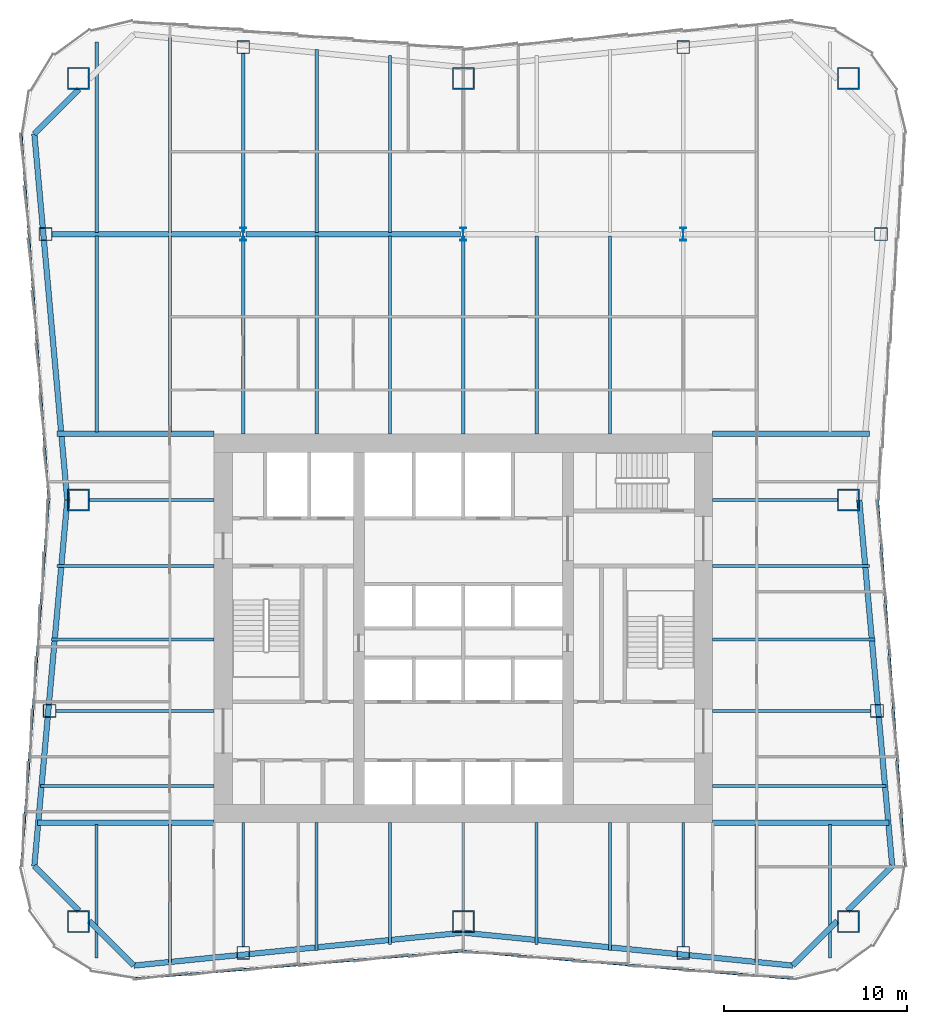
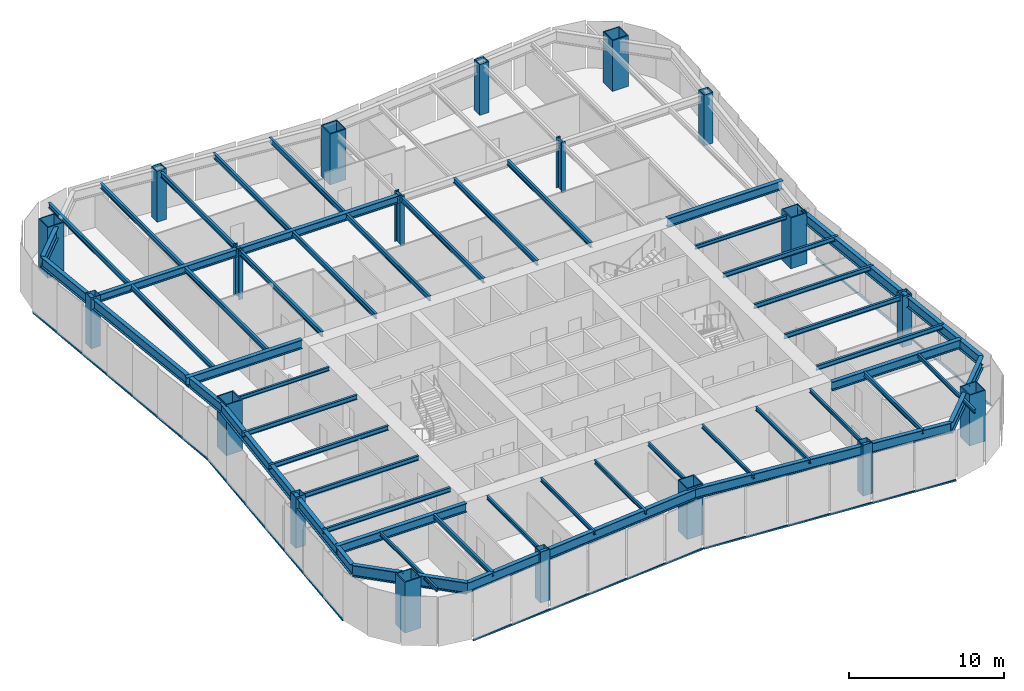
# One storey, part 1 of 8: 50 beams, 19 columns, 5 members, 3 elements without a shape of their own.
"""IFC4 building model written with IfcOpenShell, lengths in metres."""

from ifc_helpers import new_model, si_unit, direction, frame, origin, origin_2d, place, context, subcontext, project, spatial, rectangle, hollow_rectangle, i_section, extrude, material, material_profile, profile_set, type_object, element, aggregate, save


model = new_model("IFC4")

# Units and contexts
model_context = context("Model", 3, precision=1e-05, world=origin(), true_north=direction((0.0, 1.0)))
body_context = subcontext(model_context, "Body", "Model", "MODEL_VIEW")
ifc_project = project(units=[si_unit("LENGTHUNIT", "METRE"), si_unit("AREAUNIT", "SQUARE_METRE"), si_unit("VOLUMEUNIT", "CUBIC_METRE"), si_unit("PLANEANGLEUNIT", "RADIAN"), si_unit("MASSUNIT", "GRAM", prefix="KILO")], contexts=[model_context])

# Site, building, storey
site_placement = place(None, origin())
site = spatial("IfcSite", under=ifc_project, at=site_placement, CompositionType="ELEMENT")
building_placement = place(site_placement, origin())
building = spatial("IfcBuilding", under=site, at=building_placement, Name="Verdant Reach Tower", CompositionType="ELEMENT")
storey_placement = place(building_placement, frame((0.0, 0.0, 134.0)))
storey = spatial("IfcBuildingStorey", under=building, at=storey_placement, Name="L30", CompositionType="ELEMENT", Elevation=134.0)

# Columns
ifc_material_1 = material(Name="Steel S460", Category="steel")
ifc_material_profile_1 = material_profile(ifc_material_1, i_section(OverallWidth=0.30810546875, OverallDepth=0.716064453125, WebThickness=0.02099609375, FlangeThickness=0.0400390625, FilletRadius=0.027099609375, at=origin_2d()), Name="HEM 700")
ifc_profile_set_1 = profile_set([ifc_material_profile_1], Name="Steel S460")
column_type_1 = type_object("IfcColumnType", Name="ST-COL-HEM700", PredefinedType="COLUMN", material=ifc_profile_set_1)
for number, where, z_axis, x_axis, name in (
    (1, (-12.0, 49.5, 0.0), (0.0, 0.0, 1.0), (1.0, 0.0, 0.0), "Interior column 1, L30"),
    (2, (0.0, 49.5, 0.0), (0.0, 0.0, 1.0), (1.0, 0.0, 0.0), "Interior column 2, L30"),
    (3, (12.0, 49.5, 0.0), (0.0, 0.0, 1.0), (1.0, 0.0, 0.0), "Interior column 3, L30"),
):
    element("IfcColumn", number, at=place(storey_placement, frame(where, z_axis=z_axis, x_axis=x_axis)), inside=storey, type_object=column_type_1, Name=name, PredefinedType="COLUMN", context=body_context, shape_type="SweptSolid", body=[
        extrude(i_section(OverallWidth=0.30810546875, OverallDepth=0.716064453125, WebThickness=0.02099609375, FlangeThickness=0.0400390625, FilletRadius=0.027099609375, at=origin_2d()), origin(), (0.0, 0.0, 1.0), 4.0),
    ])
ifc_material_profile_2 = material_profile(ifc_material_1, hollow_rectangle(XDim=1.199951171875, YDim=1.199951171875, WallThickness=0.070068359375, at=origin_2d()), Name="WB 1200x1200x70")
ifc_profile_set_2 = profile_set([ifc_material_profile_2], Name="Steel S460")
column_type_2 = type_object("IfcColumnType", Name="ST-COL-WB1200x1200x70", PredefinedType="COLUMN", material=ifc_profile_set_2)
for number, where, z_axis, x_axis, name in (
    (4, (-21.0, 58.0, 0.0), (0.0, 0.0, 1.0), (1.0, 0.0, 0.0), "Mega column north-west, L30"),
    (5, (0.0, 58.0, 0.0), (0.0, 0.0, 1.0), (1.0, 0.0, 0.0), "Mega column north, L30"),
    (6, (21.0, 58.0, 0.0), (0.0, 0.0, 1.0), (1.0, 0.0, 0.0), "Mega column north-east, L30"),
    (7, (21.0, 35.0, 0.0), (0.0, 0.0, 1.0), (1.0, 0.0, 0.0), "Mega column east, L30"),
    (8, (21.0, 12.0, 0.0), (0.0, 0.0, 1.0), (1.0, 0.0, 0.0), "Mega column south-east, L30"),
    (9, (0.0, 12.0, 0.0), (0.0, 0.0, 1.0), (1.0, 0.0, 0.0), "Mega column south, L30"),
    (10, (-21.0, 12.0, 0.0), (0.0, 0.0, 1.0), (1.0, 0.0, 0.0), "Mega column south-west, L30"),
    (11, (-21.0, 35.0, 0.0), (0.0, 0.0, 1.0), (1.0, 0.0, 0.0), "Mega column west, L30"),
):
    element("IfcColumn", number, at=place(storey_placement, frame(where, z_axis=z_axis, x_axis=x_axis)), inside=storey, type_object=column_type_2, Name=name, PredefinedType="COLUMN", context=body_context, shape_type="SweptSolid", body=[
        extrude(hollow_rectangle(XDim=1.199951171875, YDim=1.199951171875, WallThickness=0.070068359375, at=origin_2d()), origin(), (0.0, 0.0, 1.0), 4.0),
    ])
ifc_material_profile_3 = material_profile(ifc_material_1, hollow_rectangle(XDim=0.699951171875, YDim=0.699951171875, WallThickness=0.030029296875, at=origin_2d()), Name="WB 700x700x30")
ifc_profile_set_3 = profile_set([ifc_material_profile_3], Name="Steel S460")
column_type_3 = type_object("IfcColumnType", Name="ST-COL-WB700x700x30", PredefinedType="COLUMN", material=ifc_profile_set_3)
for number, where, z_axis, x_axis, name in (
    (12, (-12.0, 59.699951171875, 0.0), (0.0, 0.0, 1.0), (1.0, 0.0, 0.0), "Perimeter column north 1, L30"),
    (13, (12.0, 59.699951171875, 0.0), (0.0, 0.0, 1.0), (1.0, 0.0, 0.0), "Perimeter column north 2, L30"),
    (14, (-12.0, 10.300048828125, 0.0), (0.0, 0.0, 1.0), (1.0, 0.0, 0.0), "Perimeter column south 1, L30"),
    (15, (12.0, 10.300048828125, 0.0), (0.0, 0.0, 1.0), (1.0, 0.0, 0.0), "Perimeter column south 2, L30"),
    (16, (22.5625, 23.5, 0.0), (0.0, 0.0, 1.0), (1.0, 0.0, 0.0), "Perimeter column east 1, L30"),
    (17, (22.78759765625, 49.5, 0.0), (0.0, 0.0, 1.0), (1.0, 0.0, 0.0), "Perimeter column east 2, L30"),
    (18, (-22.5625, 23.5, 0.0), (0.0, 0.0, 1.0), (1.0, 0.0, 0.0), "Perimeter column west 1, L30"),
    (19, (-22.78759765625, 49.5, 0.0), (0.0, 0.0, 1.0), (1.0, 0.0, 0.0), "Perimeter column west 2, L30"),
):
    element("IfcColumn", number, at=place(storey_placement, frame(where, z_axis=z_axis, x_axis=x_axis)), inside=storey, type_object=column_type_3, Name=name, PredefinedType="COLUMN", context=body_context, shape_type="SweptSolid", body=[
        extrude(hollow_rectangle(XDim=0.699951171875, YDim=0.699951171875, WallThickness=0.030029296875, at=origin_2d()), origin(), (0.0, 0.0, 1.0), 4.0),
    ])

# Curtain wall, member
ifc_material_2 = material(Name="Anodised aluminium", Category="aluminium")
curtain_wall_type = type_object("IfcCurtainWallType", Name="EN-CW SYSTEM Z2", PredefinedType="NOTDEFINED", material=ifc_material_2)
curtain_wall_1_placement = place(storey_placement, origin())
curtain_wall_1 = element("IfcCurtainWall", 20, at=curtain_wall_1_placement, inside=storey, type_object=curtain_wall_type, Name="Curtain wall east, L30", PredefinedType="NOTDEFINED")
ifc_material_profile_4 = material_profile(ifc_material_2, rectangle(XDim=0.10009765625, YDim=0.1240234375, at=origin_2d()), Name="Transom 124x100")
ifc_profile_set_4 = profile_set([ifc_material_profile_4], Name="Anodised aluminium")
member_type = type_object("IfcMemberType", Name="EN-TRANSOM Z2", PredefinedType="USERDEFINED", material=ifc_profile_set_4)
member_1_placement = place(storey_placement, frame((24.103515625, 15.025390625, -0.2880859375), z_axis=(-0.07476111665, 0.997201471839, 0.0), x_axis=(-0.997201471839, -0.07476111665, 0.0)))
member_1 = element("IfcMember", 21, at=member_1_placement, type_object=member_type, Name="Transom east face part 1 1.1, L30", ObjectType="TRANSOM", PredefinedType="USERDEFINED", context=body_context, shape_type="SweptSolid", body=[
    extrude(rectangle(XDim=0.10009765625, YDim=0.1240234375, at=origin_2d()), origin(), (0.0, 0.0, 1.0), 19.99853515625),
])
aggregate(curtain_wall_1, [member_1])

# Curtain wall, members
curtain_wall_2_placement = place(storey_placement, origin())
curtain_wall_2 = element("IfcCurtainWall", 22, at=curtain_wall_2_placement, inside=storey, type_object=curtain_wall_type, Name="Curtain wall west, L30", PredefinedType="NOTDEFINED")
member_2_placement = place(storey_placement, frame((-24.103515625, 54.974609375, -0.2880859375), z_axis=(0.07476111665, -0.997201471839, 0.0), x_axis=(0.997201471839, 0.07476111665, 0.0)))
member_2 = element("IfcMember", 23, at=member_2_placement, type_object=member_type, Name="Transom west face part 1 1.1, L30", ObjectType="TRANSOM", PredefinedType="USERDEFINED", context=body_context, shape_type="SweptSolid", body=[
    extrude(rectangle(XDim=0.10009765625, YDim=0.1240234375, at=origin_2d()), origin(), (0.0, 0.0, 1.0), 19.99853515625),
])
member_3_placement = place(storey_placement, frame((-22.6083984375, 34.968017578125, -0.2880859375), z_axis=(-0.07476111665, -0.997201471839, 0.0), x_axis=(0.997201471839, -0.07476111665, 0.0)))
member_3 = element("IfcMember", 24, at=member_3_placement, type_object=member_type, Name="Transom west face part 2 1.1, L30", ObjectType="TRANSOM", PredefinedType="USERDEFINED", context=body_context, shape_type="SweptSolid", body=[
    extrude(rectangle(XDim=0.10009765625, YDim=0.1240234375, at=origin_2d()), origin(), (0.0, 0.0, 1.0), 19.99853515625),
])
aggregate(curtain_wall_2, [member_2, member_3])

curtain_wall_3_placement = place(storey_placement, origin())
curtain_wall_3 = element("IfcCurtainWall", 25, at=curtain_wall_3_placement, inside=storey, type_object=curtain_wall_type, Name="Curtain wall south, L30", PredefinedType="NOTDEFINED")
member_4_placement = place(storey_placement, frame((-17.97412109375, 8.896728515625, -0.2880859375), z_axis=(0.996548282776, 0.083015179915, 0.0), x_axis=(-0.083015179915, 0.996548282776, 0.0)))
member_4 = element("IfcMember", 26, at=member_4_placement, type_object=member_type, Name="Transom south face part 1 1.1, L30", ObjectType="TRANSOM", PredefinedType="USERDEFINED", context=body_context, shape_type="SweptSolid", body=[
    extrude(rectangle(XDim=0.10009765625, YDim=0.1240234375, at=origin_2d()), origin(), (0.0, 0.0, 1.0), 18.00439453125),
])
member_5_placement = place(storey_placement, frame((0.031982421875, 10.391357421875, -0.2880859375), z_axis=(0.996548282776, -0.083015179915, 0.0), x_axis=(0.083015179915, 0.996548282776, 0.0)))
member_5 = element("IfcMember", 27, at=member_5_placement, type_object=member_type, Name="Transom south face part 2 1.1, L30", ObjectType="TRANSOM", PredefinedType="USERDEFINED", context=body_context, shape_type="SweptSolid", body=[
    extrude(rectangle(XDim=0.10009765625, YDim=0.1240234375, at=origin_2d()), origin(), (0.0, 0.0, 1.0), 18.00439453125),
])
aggregate(curtain_wall_3, [member_4, member_5])

# Beams
ifc_material_3 = material(Name="Steel S355", Category="steel")
ifc_material_profile_5 = material_profile(ifc_material_3, i_section(OverallWidth=0.300048828125, OverallDepth=0.60009765625, WebThickness=0.015380859375, FlangeThickness=0.030029296875, FilletRadius=0.027099609375, at=origin_2d()), Name="HEB 600")
ifc_profile_set_5 = profile_set([ifc_material_profile_5], Name="Steel S355")
beam_type_1 = type_object("IfcBeamType", Name="ST-BEAM-HEB600", PredefinedType="BEAM", material=ifc_profile_set_5)
beam_1_placement = place(storey_placement, frame((-22.4375, 49.5, 3.570068359375), z_axis=(1.0, 0.0, 0.0), x_axis=(0.0, 1.0, 0.0)))
element("IfcBeam", 28, at=beam_1_placement, inside=storey, type_object=beam_type_1, Name="Row girder, L30", PredefinedType="BEAM", context=body_context, shape_type="SweptSolid", body=[
    extrude(i_section(OverallWidth=0.300048828125, OverallDepth=0.60009765625, WebThickness=0.015380859375, FlangeThickness=0.030029296875, FilletRadius=0.027099609375, at=origin_2d()), origin(), (0.0, 0.0, 1.0), 10.283447265625),
])
beam_2_placement = place(storey_placement, frame((-11.845947265625, 49.5, 3.570068359375), z_axis=(1.0, 0.0, 0.0), x_axis=(0.0, 1.0, 0.0)))
element("IfcBeam", 29, at=beam_2_placement, inside=storey, type_object=beam_type_1, Name="Row girder, L30", PredefinedType="BEAM", context=body_context, shape_type="SweptSolid", body=[
    extrude(i_section(OverallWidth=0.300048828125, OverallDepth=0.60009765625, WebThickness=0.015380859375, FlangeThickness=0.030029296875, FilletRadius=0.027099609375, at=origin_2d()), origin(), (0.0, 0.0, 1.0), 11.69189453125),
])
ifc_material_profile_6 = material_profile(ifc_material_3, i_section(OverallWidth=0.300048828125, OverallDepth=0.699951171875, WebThickness=0.01708984375, FlangeThickness=0.031982421875, FilletRadius=0.027099609375, at=origin_2d()), Name="HEB 700")
ifc_profile_set_6 = profile_set([ifc_material_profile_6], Name="Steel S355")
beam_type_2 = type_object("IfcBeamType", Name="ST-BEAM-HEB700", PredefinedType="BEAM", material=ifc_profile_set_6)
for number, where, z_axis, x_axis, name in (
    (30, (13.60009765625, 38.60009765625, 3.52001953125), (1.0, 0.0, 0.0), (0.0, 1.0, 0.0), "Trimmer beam, L30"),
    (31, (-13.60009765625, 38.60009765625, 3.52001953125), (-1.0, 0.0, 0.0), (0.0, -1.0, 0.0), "Trimmer beam, L30"),
):
    element("IfcBeam", number, at=place(storey_placement, frame(where, z_axis=z_axis, x_axis=x_axis)), inside=storey, type_object=beam_type_2, Name=name, PredefinedType="BEAM", context=body_context, shape_type="SweptSolid", body=[
        extrude(i_section(OverallWidth=0.300048828125, OverallDepth=0.699951171875, WebThickness=0.01708984375, FlangeThickness=0.031982421875, FilletRadius=0.027099609375, at=origin_2d()), origin(), (0.0, 0.0, 1.0), 8.568115234375),
    ])
for number, where, z_axis, x_axis, name in (
    (32, (13.60009765625, 17.39990234375, 3.52001953125), (1.0, 0.0, 0.0), (0.0, 1.0, 0.0), "Trimmer beam, L30"),
    (33, (-13.60009765625, 17.39990234375, 3.52001953125), (-1.0, 0.0, 0.0), (0.0, -1.0, 0.0), "Trimmer beam, L30"),
):
    element("IfcBeam", number, at=place(storey_placement, frame(where, z_axis=z_axis, x_axis=x_axis)), inside=storey, type_object=beam_type_2, Name=name, PredefinedType="BEAM", context=body_context, shape_type="SweptSolid", body=[
        extrude(i_section(OverallWidth=0.300048828125, OverallDepth=0.699951171875, WebThickness=0.01708984375, FlangeThickness=0.031982421875, FilletRadius=0.027099609375, at=origin_2d()), origin(), (0.0, 0.0, 1.0), 9.6181640625),
    ])
ifc_material_profile_7 = material_profile(ifc_material_3, i_section(OverallWidth=0.14990234375, OverallDepth=0.300048828125, WebThickness=0.007080078125, FlangeThickness=0.0107421875, FilletRadius=0.014892578125, at=origin_2d()), Name="IPE 300")
ifc_profile_set_7 = profile_set([ifc_material_profile_7], Name="Steel S355")
beam_type_3 = type_object("IfcBeamType", Name="ST-JOIST-IPE300", PredefinedType="JOIST", material=ifc_profile_set_7)
beam_3_placement = place(storey_placement, frame((-20.0, 17.300048828125, 3.719970703125), z_axis=(0.0, -1.0, 0.0), x_axis=(1.0, 0.0, 0.0)))
element("IfcBeam", 34, at=beam_3_placement, inside=storey, type_object=beam_type_3, Name="Floor joist, L30", PredefinedType="JOIST", context=body_context, shape_type="SweptSolid", body=[
    extrude(i_section(OverallWidth=0.14990234375, OverallDepth=0.300048828125, WebThickness=0.007080078125, FlangeThickness=0.0107421875, FilletRadius=0.014892578125, at=origin_2d()), origin(), (0.0, 0.0, 1.0), 7.29052734375),
])
beam_4_placement = place(storey_placement, frame((-12.0, 17.39990234375, 3.719970703125), z_axis=(0.0, -1.0, 0.0), x_axis=(1.0, 0.0, 0.0)))
element("IfcBeam", 35, at=beam_4_placement, inside=storey, type_object=beam_type_3, Name="Floor joist, L30", PredefinedType="JOIST", context=body_context, shape_type="SweptSolid", body=[
    extrude(i_section(OverallWidth=0.14990234375, OverallDepth=0.300048828125, WebThickness=0.007080078125, FlangeThickness=0.0107421875, FilletRadius=0.014892578125, at=origin_2d()), origin(), (0.0, 0.0, 1.0), 6.75),
])
beam_5_placement = place(storey_placement, frame((-8.0, 17.39990234375, 3.719970703125), z_axis=(0.0, -1.0, 0.0), x_axis=(1.0, 0.0, 0.0)))
element("IfcBeam", 36, at=beam_5_placement, inside=storey, type_object=beam_type_3, Name="Floor joist, L30", PredefinedType="JOIST", context=body_context, shape_type="SweptSolid", body=[
    extrude(i_section(OverallWidth=0.14990234375, OverallDepth=0.300048828125, WebThickness=0.007080078125, FlangeThickness=0.0107421875, FilletRadius=0.014892578125, at=origin_2d()), origin(), (0.0, 0.0, 1.0), 6.964599609375),
])
beam_6_placement = place(storey_placement, frame((-4.0, 17.39990234375, 3.719970703125), z_axis=(0.0, -1.0, 0.0), x_axis=(1.0, 0.0, 0.0)))
element("IfcBeam", 37, at=beam_6_placement, inside=storey, type_object=beam_type_3, Name="Floor joist, L30", PredefinedType="JOIST", context=body_context, shape_type="SweptSolid", body=[
    extrude(i_section(OverallWidth=0.14990234375, OverallDepth=0.300048828125, WebThickness=0.007080078125, FlangeThickness=0.0107421875, FilletRadius=0.014892578125, at=origin_2d()), origin(), (0.0, 0.0, 1.0), 6.631103515625),
])
beam_7_placement = place(storey_placement, frame((0.0, 17.39990234375, 3.719970703125), z_axis=(0.0, -1.0, 0.0), x_axis=(1.0, 0.0, 0.0)))
element("IfcBeam", 38, at=beam_7_placement, inside=storey, type_object=beam_type_3, Name="Floor joist, L30", PredefinedType="JOIST", context=body_context, shape_type="SweptSolid", body=[
    extrude(i_section(OverallWidth=0.14990234375, OverallDepth=0.300048828125, WebThickness=0.007080078125, FlangeThickness=0.0107421875, FilletRadius=0.014892578125, at=origin_2d()), origin(), (0.0, 0.0, 1.0), 4.7998046875),
])
beam_8_placement = place(storey_placement, frame((4.0, 17.39990234375, 3.719970703125), z_axis=(0.0, -1.0, 0.0), x_axis=(1.0, 0.0, 0.0)))
element("IfcBeam", 39, at=beam_8_placement, inside=storey, type_object=beam_type_3, Name="Floor joist, L30", PredefinedType="JOIST", context=body_context, shape_type="SweptSolid", body=[
    extrude(i_section(OverallWidth=0.14990234375, OverallDepth=0.300048828125, WebThickness=0.007080078125, FlangeThickness=0.0107421875, FilletRadius=0.014892578125, at=origin_2d()), origin(), (0.0, 0.0, 1.0), 6.631103515625),
])
beam_9_placement = place(storey_placement, frame((8.0, 17.39990234375, 3.719970703125), z_axis=(0.0, -1.0, 0.0), x_axis=(1.0, 0.0, 0.0)))
element("IfcBeam", 40, at=beam_9_placement, inside=storey, type_object=beam_type_3, Name="Floor joist, L30", PredefinedType="JOIST", context=body_context, shape_type="SweptSolid", body=[
    extrude(i_section(OverallWidth=0.14990234375, OverallDepth=0.300048828125, WebThickness=0.007080078125, FlangeThickness=0.0107421875, FilletRadius=0.014892578125, at=origin_2d()), origin(), (0.0, 0.0, 1.0), 6.964599609375),
])
beam_10_placement = place(storey_placement, frame((12.0, 17.39990234375, 3.719970703125), z_axis=(0.0, -1.0, 0.0), x_axis=(1.0, 0.0, 0.0)))
element("IfcBeam", 41, at=beam_10_placement, inside=storey, type_object=beam_type_3, Name="Floor joist, L30", PredefinedType="JOIST", context=body_context, shape_type="SweptSolid", body=[
    extrude(i_section(OverallWidth=0.14990234375, OverallDepth=0.300048828125, WebThickness=0.007080078125, FlangeThickness=0.0107421875, FilletRadius=0.014892578125, at=origin_2d()), origin(), (0.0, 0.0, 1.0), 6.75),
])
beam_11_placement = place(storey_placement, frame((20.0, 17.300048828125, 3.719970703125), z_axis=(0.0, -1.0, 0.0), x_axis=(1.0, 0.0, 0.0)))
element("IfcBeam", 42, at=beam_11_placement, inside=storey, type_object=beam_type_3, Name="Floor joist, L30", PredefinedType="JOIST", context=body_context, shape_type="SweptSolid", body=[
    extrude(i_section(OverallWidth=0.14990234375, OverallDepth=0.300048828125, WebThickness=0.007080078125, FlangeThickness=0.0107421875, FilletRadius=0.014892578125, at=origin_2d()), origin(), (0.0, 0.0, 1.0), 7.29052734375),
])
for number, where, z_axis, x_axis, name in (
    (43, (13.60009765625, 35.0, 3.719970703125), (1.0, 0.0, 0.0), (0.0, 1.0, 0.0), "Floor joist, L30"),
    (44, (-13.60009765625, 35.0, 3.719970703125), (-1.0, 0.0, 0.0), (0.0, -1.0, 0.0), "Floor joist, L30"),
):
    element("IfcBeam", number, at=place(storey_placement, frame(where, z_axis=z_axis, x_axis=x_axis)), inside=storey, type_object=beam_type_3, Name=name, PredefinedType="JOIST", context=body_context, shape_type="SweptSolid", body=[
        extrude(i_section(OverallWidth=0.14990234375, OverallDepth=0.300048828125, WebThickness=0.007080078125, FlangeThickness=0.0107421875, FilletRadius=0.014892578125, at=origin_2d()), origin(), (0.0, 0.0, 1.0), 6.7998046875),
    ])
ifc_material_profile_8 = material_profile(ifc_material_3, i_section(OverallWidth=0.169921875, OverallDepth=0.360107421875, WebThickness=0.008056640625, FlangeThickness=0.0126953125, FilletRadius=0.01806640625, at=origin_2d()), Name="IPE 360")
ifc_profile_set_8 = profile_set([ifc_material_profile_8], Name="Steel S355")
beam_type_4 = type_object("IfcBeamType", Name="ST-JOIST-IPE360", PredefinedType="JOIST", material=ifc_profile_set_8)
for number, where, z_axis, x_axis, name in (
    (45, (-16.0, 17.300048828125, 3.68994140625), (0.0, -1.0, 0.0), (1.0, 0.0, 0.0), "Floor joist, L30"),
    (46, (16.0, 17.300048828125, 3.68994140625), (0.0, -1.0, 0.0), (1.0, 0.0, 0.0), "Floor joist, L30"),
):
    element("IfcBeam", number, at=place(storey_placement, frame(where, z_axis=z_axis, x_axis=x_axis)), inside=storey, type_object=beam_type_4, Name=name, PredefinedType="JOIST", context=body_context, shape_type="SweptSolid", body=[
        extrude(i_section(OverallWidth=0.169921875, OverallDepth=0.360107421875, WebThickness=0.008056640625, FlangeThickness=0.0126953125, FilletRadius=0.01806640625, at=origin_2d()), origin(), (0.0, 0.0, 1.0), 7.53125),
    ])
for number, where, z_axis, x_axis, name in (
    (47, (13.60009765625, 19.39990234375, 3.68994140625), (1.0, 0.0, 0.0), (0.0, 1.0, 0.0), "Floor joist, L30"),
    (48, (-13.60009765625, 19.39990234375, 3.68994140625), (-1.0, 0.0, 0.0), (0.0, -1.0, 0.0), "Floor joist, L30"),
):
    element("IfcBeam", number, at=place(storey_placement, frame(where, z_axis=z_axis, x_axis=x_axis)), inside=storey, type_object=beam_type_4, Name=name, PredefinedType="JOIST", context=body_context, shape_type="SweptSolid", body=[
        extrude(i_section(OverallWidth=0.169921875, OverallDepth=0.360107421875, WebThickness=0.008056640625, FlangeThickness=0.0126953125, FilletRadius=0.01806640625, at=origin_2d()), origin(), (0.0, 0.0, 1.0), 9.46826171875),
    ])
for number, where, z_axis, x_axis, name in (
    (49, (13.60009765625, 23.5, 3.68994140625), (1.0, 0.0, 0.0), (0.0, 1.0, 0.0), "Floor joist, L30"),
    (50, (-13.60009765625, 23.5, 3.68994140625), (-1.0, 0.0, 0.0), (0.0, -1.0, 0.0), "Floor joist, L30"),
):
    element("IfcBeam", number, at=place(storey_placement, frame(where, z_axis=z_axis, x_axis=x_axis)), inside=storey, type_object=beam_type_4, Name=name, PredefinedType="JOIST", context=body_context, shape_type="SweptSolid", body=[
        extrude(i_section(OverallWidth=0.169921875, OverallDepth=0.360107421875, WebThickness=0.008056640625, FlangeThickness=0.0126953125, FilletRadius=0.01806640625, at=origin_2d()), origin(), (0.0, 0.0, 1.0), 8.6123046875),
    ])
for number, where, z_axis, x_axis, name in (
    (51, (13.60009765625, 27.39990234375, 3.68994140625), (1.0, 0.0, 0.0), (0.0, 1.0, 0.0), "Floor joist, L30"),
    (52, (-13.60009765625, 27.39990234375, 3.68994140625), (-1.0, 0.0, 0.0), (0.0, -1.0, 0.0), "Floor joist, L30"),
):
    element("IfcBeam", number, at=place(storey_placement, frame(where, z_axis=z_axis, x_axis=x_axis)), inside=storey, type_object=beam_type_4, Name=name, PredefinedType="JOIST", context=body_context, shape_type="SweptSolid", body=[
        extrude(i_section(OverallWidth=0.169921875, OverallDepth=0.360107421875, WebThickness=0.008056640625, FlangeThickness=0.0126953125, FilletRadius=0.01806640625, at=origin_2d()), origin(), (0.0, 0.0, 1.0), 8.8681640625),
    ])
for number, where, z_axis, x_axis, name in (
    (53, (13.60009765625, 31.39990234375, 3.68994140625), (1.0, 0.0, 0.0), (0.0, 1.0, 0.0), "Floor joist, L30"),
    (54, (-13.60009765625, 31.39990234375, 3.68994140625), (-1.0, 0.0, 0.0), (0.0, -1.0, 0.0), "Floor joist, L30"),
):
    element("IfcBeam", number, at=place(storey_placement, frame(where, z_axis=z_axis, x_axis=x_axis)), inside=storey, type_object=beam_type_4, Name=name, PredefinedType="JOIST", context=body_context, shape_type="SweptSolid", body=[
        extrude(i_section(OverallWidth=0.169921875, OverallDepth=0.360107421875, WebThickness=0.008056640625, FlangeThickness=0.0126953125, FilletRadius=0.01806640625, at=origin_2d()), origin(), (0.0, 0.0, 1.0), 8.568115234375),
    ])
ifc_material_profile_9 = material_profile(ifc_material_3, i_section(OverallWidth=0.179931640625, OverallDepth=0.39990234375, WebThickness=0.008544921875, FlangeThickness=0.013427734375, FilletRadius=0.02099609375, at=origin_2d()), Name="IPE 400")
ifc_profile_set_9 = profile_set([ifc_material_profile_9], Name="Steel S355")
beam_type_5 = type_object("IfcBeamType", Name="ST-JOIST-IPE400", PredefinedType="JOIST", material=ifc_profile_set_9)
beam_12_placement = place(storey_placement, frame((-20.0, 38.699951171875, 3.669921875), z_axis=(0.0, 1.0, 0.0), x_axis=(-1.0, 0.0, 0.0)))
element("IfcBeam", 55, at=beam_12_placement, inside=storey, type_object=beam_type_5, Name="Floor joist, L30", PredefinedType="JOIST", context=body_context, shape_type="SweptSolid", body=[
    extrude(i_section(OverallWidth=0.179931640625, OverallDepth=0.39990234375, WebThickness=0.008544921875, FlangeThickness=0.013427734375, FilletRadius=0.02099609375, at=origin_2d()), origin(), (0.0, 0.0, 1.0), 10.699951171875),
])
beam_13_placement = place(storey_placement, frame((-20.0, 49.60009765625, 3.669921875), z_axis=(0.0, 1.0, 0.0), x_axis=(-1.0, 0.0, 0.0)))
element("IfcBeam", 56, at=beam_13_placement, inside=storey, type_object=beam_type_5, Name="Floor joist, L30", PredefinedType="JOIST", context=body_context, shape_type="SweptSolid", body=[
    extrude(i_section(OverallWidth=0.179931640625, OverallDepth=0.39990234375, WebThickness=0.008544921875, FlangeThickness=0.013427734375, FilletRadius=0.02099609375, at=origin_2d()), origin(), (0.0, 0.0, 1.0), 10.390380859375),
])
beam_14_placement = place(storey_placement, frame((-16.0, 38.699951171875, 3.669921875), z_axis=(0.0, 1.0, 0.0), x_axis=(-1.0, 0.0, 0.0)))
element("IfcBeam", 57, at=beam_14_placement, inside=storey, type_object=beam_type_5, Name="Floor joist, L30", PredefinedType="JOIST", context=body_context, shape_type="SweptSolid", body=[
    extrude(i_section(OverallWidth=0.179931640625, OverallDepth=0.39990234375, WebThickness=0.008544921875, FlangeThickness=0.013427734375, FilletRadius=0.02099609375, at=origin_2d()), origin(), (0.0, 0.0, 1.0), 10.699951171875),
])
beam_15_placement = place(storey_placement, frame((-16.0, 49.60009765625, 3.669921875), z_axis=(0.0, 1.0, 0.0), x_axis=(-1.0, 0.0, 0.0)))
element("IfcBeam", 58, at=beam_15_placement, inside=storey, type_object=beam_type_5, Name="Floor joist, L30", PredefinedType="JOIST", context=body_context, shape_type="SweptSolid", body=[
    extrude(i_section(OverallWidth=0.179931640625, OverallDepth=0.39990234375, WebThickness=0.008544921875, FlangeThickness=0.013427734375, FilletRadius=0.02099609375, at=origin_2d()), origin(), (0.0, 0.0, 1.0), 10.631103515625),
])
beam_16_placement = place(storey_placement, frame((-12.0, 38.60009765625, 3.669921875), z_axis=(0.0, 1.0, 0.0), x_axis=(-1.0, 0.0, 0.0)))
element("IfcBeam", 59, at=beam_16_placement, inside=storey, type_object=beam_type_5, Name="Floor joist, L30", PredefinedType="JOIST", context=body_context, shape_type="SweptSolid", body=[
    extrude(i_section(OverallWidth=0.179931640625, OverallDepth=0.39990234375, WebThickness=0.008544921875, FlangeThickness=0.013427734375, FilletRadius=0.02099609375, at=origin_2d()), origin(), (0.0, 0.0, 1.0), 10.7998046875),
])
beam_17_placement = place(storey_placement, frame((-12.0, 49.60009765625, 3.669921875), z_axis=(0.0, 1.0, 0.0), x_axis=(-1.0, 0.0, 0.0)))
element("IfcBeam", 60, at=beam_17_placement, inside=storey, type_object=beam_type_5, Name="Floor joist, L30", PredefinedType="JOIST", context=body_context, shape_type="SweptSolid", body=[
    extrude(i_section(OverallWidth=0.179931640625, OverallDepth=0.39990234375, WebThickness=0.008544921875, FlangeThickness=0.013427734375, FilletRadius=0.02099609375, at=origin_2d()), origin(), (0.0, 0.0, 1.0), 9.75),
])
beam_18_placement = place(storey_placement, frame((-8.0, 38.60009765625, 3.669921875), z_axis=(0.0, 1.0, 0.0), x_axis=(-1.0, 0.0, 0.0)))
element("IfcBeam", 61, at=beam_18_placement, inside=storey, type_object=beam_type_5, Name="Floor joist, L30", PredefinedType="JOIST", context=body_context, shape_type="SweptSolid", body=[
    extrude(i_section(OverallWidth=0.179931640625, OverallDepth=0.39990234375, WebThickness=0.008544921875, FlangeThickness=0.013427734375, FilletRadius=0.02099609375, at=origin_2d()), origin(), (0.0, 0.0, 1.0), 10.7998046875),
])
beam_19_placement = place(storey_placement, frame((-8.0, 49.60009765625, 3.669921875), z_axis=(0.0, 1.0, 0.0), x_axis=(-1.0, 0.0, 0.0)))
element("IfcBeam", 62, at=beam_19_placement, inside=storey, type_object=beam_type_5, Name="Floor joist, L30", PredefinedType="JOIST", context=body_context, shape_type="SweptSolid", body=[
    extrude(i_section(OverallWidth=0.179931640625, OverallDepth=0.39990234375, WebThickness=0.008544921875, FlangeThickness=0.013427734375, FilletRadius=0.02099609375, at=origin_2d()), origin(), (0.0, 0.0, 1.0), 9.964599609375),
])
beam_20_placement = place(storey_placement, frame((-4.0, 38.60009765625, 3.669921875), z_axis=(0.0, 1.0, 0.0), x_axis=(-1.0, 0.0, 0.0)))
element("IfcBeam", 63, at=beam_20_placement, inside=storey, type_object=beam_type_5, Name="Floor joist, L30", PredefinedType="JOIST", context=body_context, shape_type="SweptSolid", body=[
    extrude(i_section(OverallWidth=0.179931640625, OverallDepth=0.39990234375, WebThickness=0.008544921875, FlangeThickness=0.013427734375, FilletRadius=0.02099609375, at=origin_2d()), origin(), (0.0, 0.0, 1.0), 10.7998046875),
])
beam_21_placement = place(storey_placement, frame((-4.0, 49.60009765625, 3.669921875), z_axis=(0.0, 1.0, 0.0), x_axis=(-1.0, 0.0, 0.0)))
element("IfcBeam", 64, at=beam_21_placement, inside=storey, type_object=beam_type_5, Name="Floor joist, L30", PredefinedType="JOIST", context=body_context, shape_type="SweptSolid", body=[
    extrude(i_section(OverallWidth=0.179931640625, OverallDepth=0.39990234375, WebThickness=0.008544921875, FlangeThickness=0.013427734375, FilletRadius=0.02099609375, at=origin_2d()), origin(), (0.0, 0.0, 1.0), 9.631103515625),
])
for number, where, z_axis, x_axis, name in (
    (65, (0.0, 38.60009765625, 3.669921875), (0.0, 1.0, 0.0), (-1.0, 0.0, 0.0), "Floor joist, L30"),
    (66, (4.0, 38.60009765625, 3.669921875), (0.0, 1.0, 0.0), (-1.0, 0.0, 0.0), "Floor joist, L30"),
    (67, (8.0, 38.60009765625, 3.669921875), (0.0, 1.0, 0.0), (-1.0, 0.0, 0.0), "Floor joist, L30"),
):
    element("IfcBeam", number, at=place(storey_placement, frame(where, z_axis=z_axis, x_axis=x_axis)), inside=storey, type_object=beam_type_5, Name=name, PredefinedType="JOIST", context=body_context, shape_type="SweptSolid", body=[
        extrude(i_section(OverallWidth=0.179931640625, OverallDepth=0.39990234375, WebThickness=0.008544921875, FlangeThickness=0.013427734375, FilletRadius=0.02099609375, at=origin_2d()), origin(), (0.0, 0.0, 1.0), 10.7998046875),
    ])
ifc_material_profile_10 = material_profile(ifc_material_3, i_section(OverallWidth=0.300048828125, OverallDepth=0.800048828125, WebThickness=0.017578125, FlangeThickness=0.032958984375, FilletRadius=0.030029296875, at=origin_2d()), Name="HEB 800")
ifc_profile_set_10 = profile_set([ifc_material_profile_10], Name="Steel S355")
beam_type_6 = type_object("IfcBeamType", Name="ST-SPANDREL-HEB800", PredefinedType="SPANDREL", material=ifc_profile_set_10)
for number, where, z_axis, x_axis, name in (
    (68, (17.9658203125, 9.60498046875, 3.469970703125), (-0.995046289869, 0.099412680371, 0.0), (-0.099412680371, -0.995046289869, 0.0), "Edge beam, L30"),
    (69, (0.0, 11.39990234375, 3.469970703125), (-0.995046289869, -0.099412680371, 0.0), (0.099412680371, -0.995046289869, 0.0), "Edge beam, L30"),
):
    element("IfcBeam", number, at=place(storey_placement, frame(where, z_axis=z_axis, x_axis=x_axis)), inside=storey, type_object=beam_type_6, Name=name, PredefinedType="SPANDREL", context=body_context, shape_type="SweptSolid", body=[
        extrude(i_section(OverallWidth=0.300048828125, OverallDepth=0.800048828125, WebThickness=0.017578125, FlangeThickness=0.032958984375, FilletRadius=0.030029296875, at=origin_2d()), origin(), (0.0, 0.0, 1.0), 18.05517578125),
    ])
for number, where, z_axis, x_axis, name in (
    (70, (-23.3955078125, 15.036865234375, 3.469970703125), (0.089574749266, 0.995980102358, 0.0), (-0.995980102358, 0.089574749266, 0.0), "Edge beam, L30"),
    (71, (-21.60009765625, 35.0, 3.469970703125), (-0.089574749266, 0.995980102358, 0.0), (-0.995980102358, -0.089574749266, 0.0), "Edge beam, L30"),
    (72, (21.60009765625, 35.0, 3.469970703125), (0.089574749266, -0.995980102358, 0.0), (0.995980102358, 0.089574749266, 0.0), "Edge beam, L30"),
):
    element("IfcBeam", number, at=place(storey_placement, frame(where, z_axis=z_axis, x_axis=x_axis)), inside=storey, type_object=beam_type_6, Name=name, PredefinedType="SPANDREL", context=body_context, shape_type="SweptSolid", body=[
        extrude(i_section(OverallWidth=0.300048828125, OverallDepth=0.800048828125, WebThickness=0.017578125, FlangeThickness=0.032958984375, FilletRadius=0.030029296875, at=origin_2d()), origin(), (0.0, 0.0, 1.0), 20.043701171875),
    ])
ifc_material_profile_11 = material_profile(ifc_material_3, i_section(OverallWidth=0.302001953125, OverallDepth=0.909912109375, WebThickness=0.02099609375, FlangeThickness=0.0400390625, FilletRadius=0.030029296875, at=origin_2d()), Name="HEM 900")
ifc_profile_set_11 = profile_set([ifc_material_profile_11], Name="Steel S355")
beam_type_7 = type_object("IfcBeamType", Name="ST-SPANDREL-HEM900", PredefinedType="SPANDREL", material=ifc_profile_set_11)
beam_22_placement = place(storey_placement, frame((-17.9658203125, 9.60498046875, 3.4150390625), z_axis=(-0.70696494852, 0.70724858541, 0.0), x_axis=(-0.70724858541, -0.70696494852, 0.0)))
element("IfcBeam", 73, at=beam_22_placement, inside=storey, type_object=beam_type_7, Name="Edge beam, L30", PredefinedType="SPANDREL", context=body_context, shape_type="SweptSolid", body=[
    extrude(i_section(OverallWidth=0.302001953125, OverallDepth=0.909912109375, WebThickness=0.02099609375, FlangeThickness=0.0400390625, FilletRadius=0.030029296875, at=origin_2d()), origin(), (0.0, 0.0, 1.0), 3.443115234375),
])
for number, where, z_axis, x_axis, name in (
    (74, (-20.959716796875, 12.60009765625, 3.4150390625), (-0.706965048022, 0.707248485948, 0.0), (-0.707248485948, -0.706965048022, 0.0), "Edge beam, L30"),
    (75, (-23.3955078125, 54.963134765625, 3.4150390625), (0.706965048022, 0.707248485948, 0.0), (-0.707248485948, 0.706965048022, 0.0), "Edge beam, L30"),
    (76, (23.3955078125, 15.036865234375, 3.4150390625), (-0.706965048022, -0.707248485948, 0.0), (0.707248485948, -0.706965048022, 0.0), "Edge beam, L30"),
):
    element("IfcBeam", number, at=place(storey_placement, frame(where, z_axis=z_axis, x_axis=x_axis)), inside=storey, type_object=beam_type_7, Name=name, PredefinedType="SPANDREL", context=body_context, shape_type="SweptSolid", body=[
        extrude(i_section(OverallWidth=0.302001953125, OverallDepth=0.909912109375, WebThickness=0.02099609375, FlangeThickness=0.0400390625, FilletRadius=0.030029296875, at=origin_2d()), origin(), (0.0, 0.0, 1.0), 3.4453125),
    ])
beam_23_placement = place(storey_placement, frame((20.39990234375, 12.0400390625, 3.4150390625), z_axis=(-0.70696494852, -0.70724858541, 0.0), x_axis=(0.70724858541, -0.70696494852, 0.0)))
element("IfcBeam", 77, at=beam_23_placement, inside=storey, type_object=beam_type_7, Name="Edge beam, L30", PredefinedType="SPANDREL", context=body_context, shape_type="SweptSolid", body=[
    extrude(i_section(OverallWidth=0.302001953125, OverallDepth=0.909912109375, WebThickness=0.02099609375, FlangeThickness=0.0400390625, FilletRadius=0.030029296875, at=origin_2d()), origin(), (0.0, 0.0, 1.0), 3.443115234375),
])

save(model, "model.ifc")
